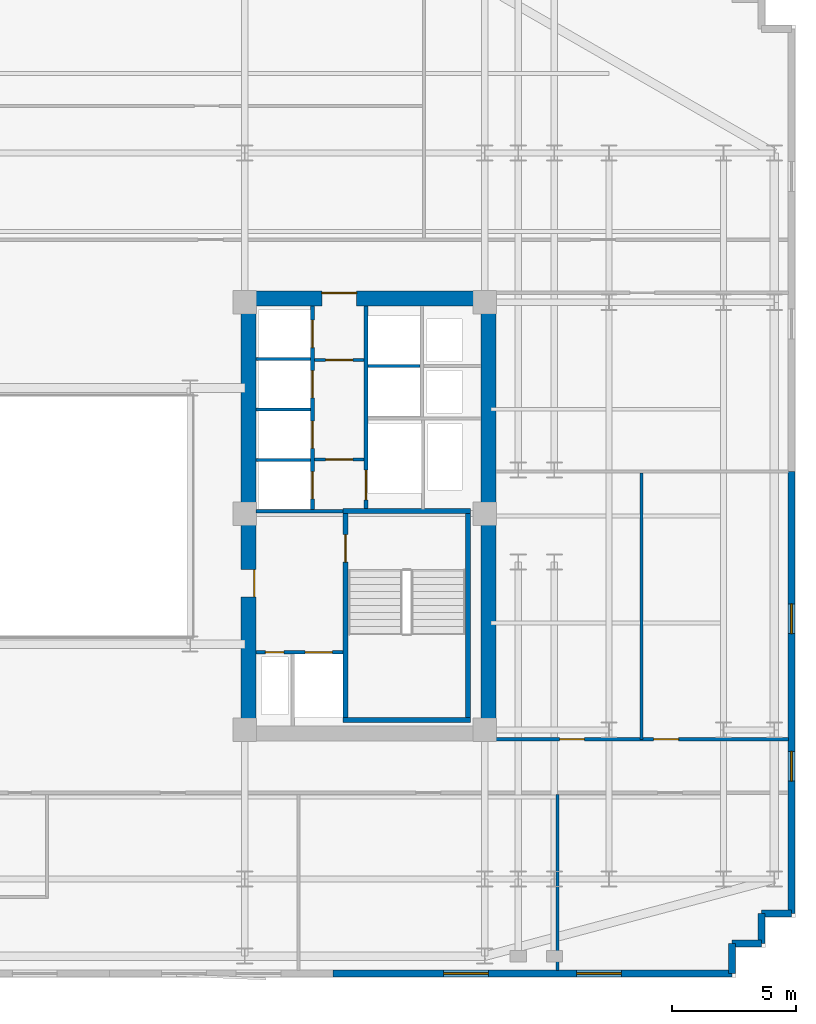
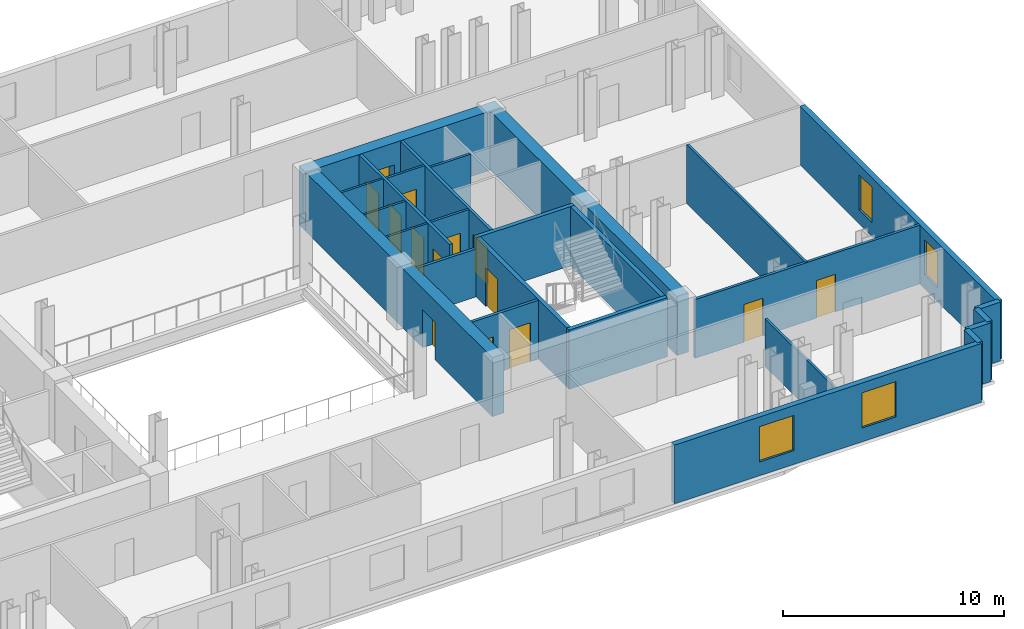
# One storey, part 6 of 10: 26 walls, 14 doors, 4 windows, 18 openings.
"""IFC4 building model written with IfcOpenShell, lengths in metres."""

from ifc_helpers import new_model, si_unit, direction, frame, frame_2d, origin, place, context, subcontext, project, spatial, rectangle, extrude, material, layer, layer_set, type_object, element, fill, save


model = new_model("IFC4")

# Units and contexts
model_context = context("Model", 3, precision=1e-05, world=origin(), true_north=direction((0.0, 1.0)))
body_context = subcontext(model_context, "Body", "Model", "MODEL_VIEW")
ifc_project = project(units=[si_unit("LENGTHUNIT", "METRE"), si_unit("AREAUNIT", "SQUARE_METRE"), si_unit("VOLUMEUNIT", "CUBIC_METRE"), si_unit("PLANEANGLEUNIT", "RADIAN"), si_unit("MASSUNIT", "GRAM", prefix="KILO")], contexts=[model_context])

# Site, building, storey
site_placement = place(None, origin())
site = spatial("IfcSite", under=ifc_project, at=site_placement, CompositionType="ELEMENT")
building_placement = place(site_placement, origin())
building = spatial("IfcBuilding", under=site, at=building_placement, Name="Velakula Bourse", CompositionType="ELEMENT")
storey_placement = place(building_placement, frame((0.0, 0.0, 145.0)))
storey = spatial("IfcBuildingStorey", under=building, at=storey_placement, Name="L39", CompositionType="ELEMENT", Elevation=145.0)

# Wall, opening, door
ifc_material_1 = material(Name="Concrete M50 (fck 50 MPa)", Category="concrete")
ifc_layer_1 = layer(ifc_material_1, 0.2099609375, Name="Concrete M50 (fck 50 MPa)", Category="concrete")
ifc_layer_set_1 = layer_set([ifc_layer_1], Name="Concrete M50 (fck 50 MPa)")
wall_type_1 = type_object("IfcWallType", Name="WL-CORE-210", PredefinedType="SHEAR", material=ifc_layer_set_1)
wall_1_placement = place(storey_placement, frame((12.9951171875, -8.10009765625, 0.0), z_axis=(0.0, 0.0, 1.0), x_axis=(0.0, 1.0, 0.0)))
wall_1 = element("IfcWall", 1, at=wall_1_placement, inside=storey, type_object=wall_type_1, Name="L39 Core E Stairwell Shear Wall IN", PredefinedType="SHEAR", context=body_context, shape_type="SweptSolid", body=[
    extrude(rectangle(XDim=8.2001953125, YDim=0.2099609375, at=frame_2d((4.10009765625, 0.0))), origin(), (0.0, 0.0, 1.0), 3.27001953125),
])
opening_1_placement = place(wall_1_placement, frame((6.25, 0.0, 0.0)))
opening_1 = element("IfcOpeningElement", 2, at=opening_1_placement, cuts=wall_1, Name="Opening D-STE1", PredefinedType="OPENING", context=body_context, shape_type="SweptSolid", body=[
    extrude(rectangle(XDim=1.10009765625, YDim=2.14990234375, at=frame_2d((0.550048828125, 1.074951171875))), frame((0.0, 0.114990234375, 0.0), z_axis=(0.0, -1.0, 0.0), x_axis=(1.0, 0.0, 0.0)), (0.0, 0.0, 1.0), 0.22998046875),
])
ifc_material_2 = material(Name="Galvanised painted hollow steel fire door", Category="steel")
door_type_1 = type_object("IfcDoorType", Name="DR-FD120-1100x2150", OperationType="NOTDEFINED", PredefinedType="DOOR", material=ifc_material_2)
door_1_placement = place(opening_1_placement, origin())
door_1 = element("IfcDoor", 3, at=door_1_placement, inside=storey, type_object=door_type_1, Name="L39 Stair ST-E1 Fire Door", OperationType="SINGLE_SWING_RIGHT", OverallHeight=2.14990234375, OverallWidth=1.10009765625, PredefinedType="DOOR", context=body_context, shape_type="SweptSolid", body=[
    extrude(rectangle(XDim=1.10009765625, YDim=2.14990234375, at=frame_2d((0.550048828125, 1.074951171875))), frame((0.0, 0.02490234375, 0.0), z_axis=(0.0, -1.0, 0.0), x_axis=(1.0, 0.0, 0.0)), (0.0, 0.0, 1.0), 0.050048828125),
])
fill(opening_1, door_1)

# Walls
wall_2_placement = place(storey_placement, frame((17.925048828125, -8.10009765625, 0.0), z_axis=(0.0, 0.0, 1.0), x_axis=(0.0, 1.0, 0.0)))
element("IfcWall", 4, at=wall_2_placement, inside=storey, type_object=wall_type_1, Name="L39 Core E Stairwell Shear Wall OUT", PredefinedType="SHEAR", context=body_context, shape_type="SweptSolid", body=[
    extrude(rectangle(XDim=8.2001953125, YDim=0.2099609375, at=frame_2d((4.10009765625, 0.0))), origin(), (0.0, 0.0, 1.0), 3.27001953125),
])
for number, where, z_axis, x_axis, name in (
    (5, (12.889892578125, -8.205078125, 0.0), (0.0, 0.0, 1.0), (1.0, 0.0, 0.0), "L39 Core E Stairwell Shear Wall S"),
    (6, (18.030029296875, 0.205078125, 0.0), (0.0, 0.0, 1.0), (-1.0, 0.0, 0.0), "L39 Core E Stairwell Shear Wall N"),
):
    element("IfcWall", number, at=place(storey_placement, frame(where, z_axis=z_axis, x_axis=x_axis)), inside=storey, type_object=wall_type_1, Name=name, PredefinedType="SHEAR", context=body_context, shape_type="SweptSolid", body=[
        extrude(rectangle(XDim=5.14013671875, YDim=0.2099609375, at=frame_2d((2.570068359375, 0.0))), origin(), (0.0, 0.0, 1.0), 3.27001953125),
    ])

# Wall, opening, door
ifc_material_3 = material(Name="Concrete M70 (fck 70 MPa)", Category="concrete")
ifc_layer_2 = layer(ifc_material_3, 0.60009765625, Name="Concrete M70 (fck 70 MPa)", Category="concrete")
ifc_layer_set_2 = layer_set([ifc_layer_2], Name="Concrete M70 (fck 70 MPa)")
wall_type_2 = type_object("IfcWallType", Name="WL-CORE-600", PredefinedType="SHEAR", material=ifc_layer_set_2)
wall_3_placement = place(storey_placement, frame((8.800048828125, 8.75, 0.0), z_axis=(0.0, 0.0, 1.0), x_axis=(1.0, 0.0, 0.0)))
wall_3 = element("IfcWall", 7, at=wall_3_placement, inside=storey, type_object=wall_type_2, Name="L39 Core E Shear Wall N", PredefinedType="SHEAR", context=body_context, shape_type="SweptSolid", body=[
    extrude(rectangle(XDim=10.25, YDim=0.60009765625, at=frame_2d((5.125, 0.0))), origin(), (0.0, 0.0, 1.0), 3.27001953125),
])
opening_2_placement = place(wall_3_placement, frame((3.25, 0.0, 0.0)))
opening_2 = element("IfcOpeningElement", 8, at=opening_2_placement, cuts=wall_3, Name="Opening D-LLE", PredefinedType="OPENING", context=body_context, shape_type="SweptSolid", body=[
    extrude(rectangle(XDim=1.39990234375, YDim=2.050048828125, at=frame_2d((0.699951171875, 1.02490234375))), frame((0.0, 0.31005859375, 0.0), z_axis=(0.0, -1.0, 0.0), x_axis=(1.0, 0.0, 0.0)), (0.0, 0.0, 1.0), 0.6201171875),
])
ifc_material_4 = material(Name="Fire-rated hardwood flush architectural door", Category="wood")
door_type_2 = type_object("IfcDoorType", Name="DR-DBL-FD60-1400", OperationType="DOUBLE_DOOR_SINGLE_SWING", PredefinedType="DOOR", material=ifc_material_4)
door_2_placement = place(opening_2_placement, origin())
door_2 = element("IfcDoor", 9, at=door_2_placement, inside=storey, type_object=door_type_2, Name="L39 Core E Lift Lobby Corridor Double Door", OperationType="DOUBLE_DOOR_SINGLE_SWING", OverallHeight=2.050048828125, OverallWidth=1.39990234375, PredefinedType="DOOR", context=body_context, shape_type="SweptSolid", body=[
    extrude(rectangle(XDim=1.39990234375, YDim=2.050048828125, at=frame_2d((0.699951171875, 1.02490234375))), frame((0.0, 0.2451171875, 0.0), z_axis=(0.0, -1.0, 0.0), x_axis=(1.0, 0.0, 0.0)), (0.0, 0.0, 1.0), 0.050048828125),
])
fill(opening_2, door_2)

wall_4_placement = place(storey_placement, frame((9.10009765625, -8.449951171875, 0.0), z_axis=(0.0, 0.0, 1.0), x_axis=(0.0, 1.0, 0.0)))
wall_4 = element("IfcWall", 10, at=wall_4_placement, inside=storey, type_object=wall_type_2, Name="L39 Core E Shear Wall W", PredefinedType="SHEAR", context=body_context, shape_type="SweptSolid", body=[
    extrude(rectangle(XDim=16.89990234375, YDim=0.60009765625, at=frame_2d((8.449951171875, 0.0))), origin(), (0.0, 0.0, 1.0), 3.27001953125),
])
opening_3_placement = place(wall_4_placement, frame((5.199951171875, 0.0, 0.0)))
opening_3 = element("IfcOpeningElement", 11, at=opening_3_placement, cuts=wall_4, Name="Opening D-FLE", PredefinedType="OPENING", context=body_context, shape_type="SweptSolid", body=[
    extrude(rectangle(XDim=1.10009765625, YDim=2.080078125, at=frame_2d((0.550048828125, 1.0400390625))), frame((0.0, 0.31005859375, 0.0), z_axis=(0.0, -1.0, 0.0), x_axis=(1.0, 0.0, 0.0)), (0.0, 0.0, 1.0), 0.6201171875),
])
door_type_3 = type_object("IfcDoorType", Name="DR-FD120-1100", OperationType="NOTDEFINED", PredefinedType="DOOR", material=ifc_material_2)
door_3_placement = place(opening_3_placement, origin())
door_3 = element("IfcDoor", 12, at=door_3_placement, inside=storey, type_object=door_type_3, Name="L39 Firefighting Lobby E Corridor Fire Door", OperationType="SINGLE_SWING_RIGHT", OverallHeight=2.080078125, OverallWidth=1.10009765625, PredefinedType="DOOR", context=body_context, shape_type="SweptSolid", body=[
    extrude(rectangle(XDim=1.10009765625, YDim=2.080078125, at=frame_2d((0.550048828125, 1.0400390625))), frame((0.0, -0.205078125, 0.0), z_axis=(0.0, -1.0, 0.0), x_axis=(1.0, 0.0, 0.0)), (0.0, 0.0, 1.0), 0.050048828125),
])
fill(opening_3, door_3)

# Wall
wall_5_placement = place(storey_placement, frame((18.75, -8.449951171875, 0.0), z_axis=(0.0, 0.0, 1.0), x_axis=(0.0, 1.0, 0.0)))
element("IfcWall", 13, at=wall_5_placement, inside=storey, type_object=wall_type_2, Name="L39 Core E Shear Wall E", PredefinedType="SHEAR", context=body_context, shape_type="SweptSolid", body=[
    extrude(rectangle(XDim=16.89990234375, YDim=0.60009765625, at=frame_2d((8.449951171875, 0.0))), origin(), (0.0, 0.0, 1.0), 3.27001953125),
])

# Wall, openings, windows
ifc_material_5 = material(Name="Red kilned clay facing brick masonry", Category="masonry")
ifc_layer_3 = layer(ifc_material_5, 0.280029296875, Name="Red kilned clay facing brick masonry", Category="masonry")
ifc_layer_set_3 = layer_set([ifc_layer_3], Name="Red kilned clay facing brick masonry")
wall_type_3 = type_object("IfcWallType", Name="WL-EXT-BRK-280", PredefinedType="STANDARD", material=ifc_layer_set_3)
wall_6_placement = place(storey_placement, frame((28.5400390625, -18.389892578125, 0.0), z_axis=(0.0, 0.0, 1.0), x_axis=(-1.0, 0.0, 0.0)))
wall_6 = element("IfcWall", 14, at=wall_6_placement, inside=storey, type_object=wall_type_3, Name="L39 S Brick Spandrel Wall B5", PredefinedType="STANDARD", context=body_context, shape_type="SweptSolid", body=[
    extrude(rectangle(XDim=16.0400390625, YDim=0.280029296875, at=frame_2d((8.02001953125, 0.0))), origin(), (0.0, 0.0, 1.0), 3.25),
])
opening_4_placement = place(wall_6_placement, frame((4.44677734375, 0.0, 0.760009765625)))
opening_4 = element("IfcOpeningElement", 15, at=opening_4_placement, cuts=wall_6, Name="Opening W-01", PredefinedType="OPENING", context=body_context, shape_type="SweptSolid", body=[
    extrude(rectangle(XDim=1.800048828125, YDim=1.949951171875, at=frame_2d((0.89990234375, 0.97509765625))), frame((0.0, 0.14990234375, 0.0), z_axis=(0.0, -1.0, 0.0), x_axis=(1.0, 0.0, 0.0)), (0.0, 0.0, 1.0), 0.300048828125),
])
opening_5_placement = place(wall_6_placement, frame((9.793212890625, 0.0, 0.760009765625)))
opening_5 = element("IfcOpeningElement", 16, at=opening_5_placement, cuts=wall_6, Name="Opening W-01", PredefinedType="OPENING", context=body_context, shape_type="SweptSolid", body=[
    extrude(rectangle(XDim=1.800048828125, YDim=1.949951171875, at=frame_2d((0.89990234375, 0.97509765625))), frame((0.0, 0.14990234375, 0.0), z_axis=(0.0, -1.0, 0.0), x_axis=(1.0, 0.0, 0.0)), (0.0, 0.0, 1.0), 0.300048828125),
])
ifc_material_6 = material(Name="Double-glazed solar-control Low-E glass", Category="glass")
window_type_1 = type_object("IfcWindowType", Name="WIN-TWR-1800x2100", PartitioningType="SINGLE_PANEL", PredefinedType="WINDOW", material=ifc_material_6)
window_1_placement = place(opening_4_placement, origin())
window_1 = element("IfcWindow", 17, at=window_1_placement, inside=storey, type_object=window_type_1, Name="L39 Deep-Set Recessed Window 1", OverallHeight=1.949951171875, OverallWidth=1.800048828125, PartitioningType="SINGLE_PANEL", PredefinedType="WINDOW", context=body_context, shape_type="SweptSolid", body=[
    extrude(rectangle(XDim=1.800048828125, YDim=1.949951171875, at=frame_2d((0.89990234375, 0.97509765625))), frame((0.0, 0.030029296875, 0.0), z_axis=(0.0, -1.0, 0.0), x_axis=(1.0, 0.0, 0.0)), (0.0, 0.0, 1.0), 0.06005859375),
])
fill(opening_4, window_1)
window_2_placement = place(opening_5_placement, origin())
window_2 = element("IfcWindow", 18, at=window_2_placement, inside=storey, type_object=window_type_1, Name="L39 Deep-Set Recessed Window 2", OverallHeight=1.949951171875, OverallWidth=1.800048828125, PartitioningType="SINGLE_PANEL", PredefinedType="WINDOW", context=body_context, shape_type="SweptSolid", body=[
    extrude(rectangle(XDim=1.800048828125, YDim=1.949951171875, at=frame_2d((0.89990234375, 0.97509765625))), frame((0.0, 0.030029296875, 0.0), z_axis=(0.0, -1.0, 0.0), x_axis=(1.0, 0.0, 0.0)), (0.0, 0.0, 1.0), 0.06005859375),
])
fill(opening_5, window_2)

wall_7_placement = place(storey_placement, frame((30.93994140625, 1.800048828125, 0.0), z_axis=(0.0, 0.0, 1.0), x_axis=(0.0, -1.0, 0.0)))
wall_7 = element("IfcWall", 19, at=wall_7_placement, inside=storey, type_object=wall_type_3, Name="L39 E Brick End Wall W1", PredefinedType="STANDARD", context=body_context, shape_type="SweptSolid", body=[
    extrude(rectangle(XDim=17.7900390625, YDim=0.280029296875, at=frame_2d((8.89501953125, 0.0))), origin(), (0.0, 0.0, 1.0), 3.25),
])
opening_6_placement = place(wall_7_placement, frame((5.330078125, 0.0, 0.760009765625)))
opening_6 = element("IfcOpeningElement", 20, at=opening_6_placement, cuts=wall_7, Name="Opening W-04", PredefinedType="OPENING", context=body_context, shape_type="SweptSolid", body=[
    extrude(rectangle(XDim=1.199951171875, YDim=1.949951171875, at=frame_2d((0.60009765625, 0.97509765625))), frame((0.0, 0.14990234375, 0.0), z_axis=(0.0, -1.0, 0.0), x_axis=(1.0, 0.0, 0.0)), (0.0, 0.0, 1.0), 0.300048828125),
])
opening_7_placement = place(wall_7_placement, frame((11.260009765625, 0.0, 0.760009765625)))
opening_7 = element("IfcOpeningElement", 21, at=opening_7_placement, cuts=wall_7, Name="Opening W-04", PredefinedType="OPENING", context=body_context, shape_type="SweptSolid", body=[
    extrude(rectangle(XDim=1.199951171875, YDim=1.949951171875, at=frame_2d((0.60009765625, 0.97509765625))), frame((0.0, 0.14990234375, 0.0), z_axis=(0.0, -1.0, 0.0), x_axis=(1.0, 0.0, 0.0)), (0.0, 0.0, 1.0), 0.300048828125),
])
window_type_2 = type_object("IfcWindowType", Name="WIN-TWR-1200x2100", PartitioningType="SINGLE_PANEL", PredefinedType="WINDOW", material=ifc_material_6)
window_3_placement = place(opening_6_placement, origin())
window_3 = element("IfcWindow", 22, at=window_3_placement, inside=storey, type_object=window_type_2, Name="L39 Deep-Set Recessed Window 1", OverallHeight=1.949951171875, OverallWidth=1.199951171875, PartitioningType="SINGLE_PANEL", PredefinedType="WINDOW", context=body_context, shape_type="SweptSolid", body=[
    extrude(rectangle(XDim=1.199951171875, YDim=1.949951171875, at=frame_2d((0.60009765625, 0.97509765625))), frame((0.0, 0.030029296875, 0.0), z_axis=(0.0, -1.0, 0.0), x_axis=(1.0, 0.0, 0.0)), (0.0, 0.0, 1.0), 0.06005859375),
])
fill(opening_6, window_3)
window_4_placement = place(opening_7_placement, origin())
window_4 = element("IfcWindow", 23, at=window_4_placement, inside=storey, type_object=window_type_2, Name="L39 Deep-Set Recessed Window 2", OverallHeight=1.949951171875, OverallWidth=1.199951171875, PartitioningType="SINGLE_PANEL", PredefinedType="WINDOW", context=body_context, shape_type="SweptSolid", body=[
    extrude(rectangle(XDim=1.199951171875, YDim=1.949951171875, at=frame_2d((0.60009765625, 0.97509765625))), frame((0.0, 0.030029296875, 0.0), z_axis=(0.0, -1.0, 0.0), x_axis=(1.0, 0.0, 0.0)), (0.0, 0.0, 1.0), 0.06005859375),
])
fill(opening_7, window_4)

# Walls
for number, where, z_axis, x_axis, name in (
    (24, (28.5400390625, -18.389892578125, 0.0), (0.0, 0.0, 1.0), (0.0, 1.0, 0.0), "L39 Serrated Corner Brick Wall SE-1"),
    (25, (28.5400390625, -17.18994140625, 0.0), (0.0, 0.0, 1.0), (1.0, 0.0, 0.0), "L39 Serrated Corner Brick Wall SE-2"),
    (26, (29.739990234375, -17.18994140625, 0.0), (0.0, 0.0, 1.0), (0.0, 1.0, 0.0), "L39 Serrated Corner Brick Wall SE-3"),
    (27, (29.739990234375, -15.989990234375, 0.0), (0.0, 0.0, 1.0), (1.0, 0.0, 0.0), "L39 Serrated Corner Brick Wall SE-4"),
):
    element("IfcWall", number, at=place(storey_placement, frame(where, z_axis=z_axis, x_axis=x_axis)), inside=storey, type_object=wall_type_3, Name=name, PredefinedType="STANDARD", context=body_context, shape_type="SweptSolid", body=[
        extrude(rectangle(XDim=1.199951171875, YDim=0.280029296875, at=frame_2d((0.60009765625, 0.0))), origin(), (0.0, 0.0, 1.0), 3.25),
    ])

# Wall, opening, door
ifc_material_7 = material(Name="Fire-rated double-layer gypsum drywall partition", Category="gypsum")
ifc_layer_4 = layer(ifc_material_7, 0.1201171875, Name="Fire-rated double-layer gypsum drywall partition", Category="gypsum")
ifc_layer_set_4 = layer_set([ifc_layer_4], Name="Fire-rated double-layer gypsum drywall partition")
wall_type_4 = type_object("IfcWallType", Name="WL-PART-120", PredefinedType="STANDARD", material=ifc_layer_set_4)
wall_8_placement = place(storey_placement, frame((11.75, 2.280029296875, 0.0), z_axis=(0.0, 0.0, 1.0), x_axis=(1.0, 0.0, 0.0)))
wall_8 = element("IfcWall", 28, at=wall_8_placement, inside=storey, type_object=wall_type_4, Name="L39 Interior Partition WL-CRE-L39-LL-K3A", PredefinedType="STANDARD", context=body_context, shape_type="SweptSolid", body=[
    extrude(rectangle(XDim=2.0, YDim=0.1201171875, at=frame_2d((1.0, 0.0))), origin(), (0.0, 0.0, 1.0), 3.25),
])
opening_8_placement = place(wall_8_placement, frame((0.449951171875, 0.0, 0.0)))
opening_8 = element("IfcOpeningElement", 29, at=opening_8_placement, cuts=wall_8, Name="Opening D-LK3", PredefinedType="OPENING", context=body_context, shape_type="SweptSolid", body=[
    extrude(rectangle(XDim=1.10009765625, YDim=2.10009765625, at=frame_2d((0.550048828125, 1.050048828125))), frame((0.0, 0.070068359375, 0.0), z_axis=(0.0, -1.0, 0.0), x_axis=(1.0, 0.0, 0.0)), (0.0, 0.0, 1.0), 0.14013671875),
])
door_type_4 = type_object("IfcDoorType", Name="DR-FD60-1100x2100", OperationType="NOTDEFINED", PredefinedType="DOOR", material=ifc_material_4)
door_4_placement = place(opening_8_placement, origin())
door_4 = element("IfcDoor", 30, at=door_4_placement, inside=storey, type_object=door_type_4, Name="L39 Core E Lift Lobby Vestibule Door A", OperationType="SINGLE_SWING_LEFT", OverallHeight=2.10009765625, OverallWidth=1.10009765625, PredefinedType="DOOR", context=body_context, shape_type="SweptSolid", body=[
    extrude(rectangle(XDim=1.10009765625, YDim=2.10009765625, at=frame_2d((0.550048828125, 1.050048828125))), frame((0.0, 0.02490234375, 0.0), z_axis=(0.0, -1.0, 0.0), x_axis=(1.0, 0.0, 0.0)), (0.0, 0.0, 1.0), 0.050048828125),
])
fill(opening_8, door_4)

wall_9_placement = place(storey_placement, frame((11.75, 6.280029296875, 0.0), z_axis=(0.0, 0.0, 1.0), x_axis=(1.0, 0.0, 0.0)))
wall_9 = element("IfcWall", 31, at=wall_9_placement, inside=storey, type_object=wall_type_4, Name="L39 Interior Partition WL-CRE-L39-LL-K3B", PredefinedType="STANDARD", context=body_context, shape_type="SweptSolid", body=[
    extrude(rectangle(XDim=2.0, YDim=0.1201171875, at=frame_2d((1.0, 0.0))), origin(), (0.0, 0.0, 1.0), 3.25),
])
opening_9_placement = place(wall_9_placement, frame((0.449951171875, 0.0, 0.0)))
opening_9 = element("IfcOpeningElement", 32, at=opening_9_placement, cuts=wall_9, Name="Opening D-LK3", PredefinedType="OPENING", context=body_context, shape_type="SweptSolid", body=[
    extrude(rectangle(XDim=1.10009765625, YDim=2.10009765625, at=frame_2d((0.550048828125, 1.050048828125))), frame((0.0, 0.070068359375, 0.0), z_axis=(0.0, -1.0, 0.0), x_axis=(1.0, 0.0, 0.0)), (0.0, 0.0, 1.0), 0.14013671875),
])
door_5_placement = place(opening_9_placement, origin())
door_5 = element("IfcDoor", 33, at=door_5_placement, inside=storey, type_object=door_type_4, Name="L39 Core E Lift Lobby Vestibule Door B", OperationType="SINGLE_SWING_LEFT", OverallHeight=2.10009765625, OverallWidth=1.10009765625, PredefinedType="DOOR", context=body_context, shape_type="SweptSolid", body=[
    extrude(rectangle(XDim=1.10009765625, YDim=2.10009765625, at=frame_2d((0.550048828125, 1.050048828125))), frame((0.0, 0.02490234375, 0.0), z_axis=(0.0, -1.0, 0.0), x_axis=(1.0, 0.0, 0.0)), (0.0, 0.0, 1.0), 0.050048828125),
])
fill(opening_9, door_5)

# Walls
for number, where, z_axis, x_axis, name in (
    (34, (9.39990234375, 2.2548828125, 0.0), (0.0, 0.0, 1.0), (1.0, 0.0, 0.0), "L39 Interior Partition WL-CRE-L39-BDIV-0"),
    (35, (9.39990234375, 4.284912109375, 0.0), (0.0, 0.0, 1.0), (1.0, 0.0, 0.0), "L39 Interior Partition WL-CRE-L39-BDIV-1"),
    (36, (9.39990234375, 6.31494140625, 0.0), (0.0, 0.0, 1.0), (1.0, 0.0, 0.0), "L39 Interior Partition WL-CRE-L39-BDIV-2"),
):
    element("IfcWall", number, at=place(storey_placement, frame(where, z_axis=z_axis, x_axis=x_axis)), inside=storey, type_object=wall_type_4, Name=name, PredefinedType="STANDARD", context=body_context, shape_type="SweptSolid", body=[
        extrude(rectangle(XDim=2.2001953125, YDim=0.110107421875, at=frame_2d((1.10009765625, 0.0))), origin(), (0.0, 0.0, 1.0), 3.25),
    ])
wall_10_placement = place(storey_placement, frame((13.89990234375, 6.030029296875, 0.0), z_axis=(0.0, 0.0, 1.0), x_axis=(1.0, 0.0, 0.0)))
element("IfcWall", 37, at=wall_10_placement, inside=storey, type_object=wall_type_4, Name="L39 Interior Partition WL-CRE-L39-HI-DIV", PredefinedType="STANDARD", context=body_context, shape_type="SweptSolid", body=[
    extrude(rectangle(XDim=2.10009765625, YDim=0.1201171875, at=frame_2d((1.050048828125, 0.0))), origin(), (0.0, 0.0, 1.0), 3.25),
])
wall_11_placement = place(storey_placement, frame((21.533935546875, -18.27001953125, 0.0), z_axis=(0.0, 0.0, 1.0), x_axis=(0.0, 1.0, 0.0)))
element("IfcWall", 38, at=wall_11_placement, inside=storey, type_object=wall_type_4, Name="L39 Interior Partition WL-INT-L39-SR-D8", PredefinedType="STANDARD", context=body_context, shape_type="SweptSolid", body=[
    extrude(rectangle(XDim=7.080078125, YDim=0.1201171875, at=frame_2d((3.5400390625, 0.0))), origin(), (0.0, 0.0, 1.0), 2.64501953125),
])
wall_12_placement = place(storey_placement, frame((24.905029296875, -8.97998046875, 0.0), z_axis=(0.0, 0.0, 1.0), x_axis=(0.0, 1.0, 0.0)))
element("IfcWall", 39, at=wall_12_placement, inside=storey, type_object=wall_type_4, Name="L39 Interior Partition WL-INT-L39-E-VS", PredefinedType="STANDARD", context=body_context, shape_type="SweptSolid", body=[
    extrude(rectangle(XDim=10.719970703125, YDim=0.1201171875, at=frame_2d((5.35986328125, 0.0))), origin(), (0.0, 0.0, 1.0), 3.25),
])

# Wall, openings, doors
ifc_layer_5 = layer(ifc_material_7, 0.139892578125, Name="Fire-rated double-layer gypsum drywall partition", Category="gypsum")
ifc_layer_set_5 = layer_set([ifc_layer_5], Name="Fire-rated double-layer gypsum drywall partition")
wall_type_5 = type_object("IfcWallType", Name="WL-PART-140", PredefinedType="STANDARD", material=ifc_layer_set_5)
wall_13_placement = place(storey_placement, frame((19.050048828125, -8.97998046875, 0.0), z_axis=(0.0, 0.0, 1.0), x_axis=(1.0, 0.0, 0.0)))
wall_13 = element("IfcWall", 40, at=wall_13_placement, inside=storey, type_object=wall_type_5, Name="L39 Interior Partition WL-INT-L39-E-SC", PredefinedType="STANDARD", context=body_context, shape_type="SweptSolid", body=[
    extrude(rectangle(XDim=11.77001953125, YDim=0.139892578125, at=frame_2d((5.885009765625, 0.0))), origin(), (0.0, 0.0, 1.0), 3.25),
])
opening_10_placement = place(wall_13_placement, frame((2.5576171875, 0.0, 0.0)))
opening_10 = element("IfcOpeningElement", 41, at=opening_10_placement, cuts=wall_13, Name="Opening D-OF1", PredefinedType="OPENING", context=body_context, shape_type="SweptSolid", body=[
    extrude(rectangle(XDim=1.0, YDim=2.080078125, at=frame_2d((0.5, 1.0400390625))), frame((0.0, 0.079833984375, 0.0), z_axis=(0.0, -1.0, 0.0), x_axis=(1.0, 0.0, 0.0)), (0.0, 0.0, 1.0), 0.159912109375),
])
opening_11_placement = place(wall_13_placement, frame((6.346923828125, 0.0, 0.0)))
opening_11 = element("IfcOpeningElement", 42, at=opening_11_placement, cuts=wall_13, Name="Opening D-OF1", PredefinedType="OPENING", context=body_context, shape_type="SweptSolid", body=[
    extrude(rectangle(XDim=1.0, YDim=2.080078125, at=frame_2d((0.5, 1.0400390625))), frame((0.0, 0.079833984375, 0.0), z_axis=(0.0, -1.0, 0.0), x_axis=(1.0, 0.0, 0.0)), (0.0, 0.0, 1.0), 0.159912109375),
])
door_type_5 = type_object("IfcDoorType", Name="DR-OFF-1000", OperationType="NOTDEFINED", PredefinedType="DOOR", material=ifc_material_4)
door_6_placement = place(opening_10_placement, origin())
door_6 = element("IfcDoor", 43, at=door_6_placement, inside=storey, type_object=door_type_5, Name="L39 ETF Market-Making Workspace Door", OperationType="SINGLE_SWING_RIGHT", OverallHeight=2.080078125, OverallWidth=1.0, PredefinedType="DOOR", context=body_context, shape_type="SweptSolid", body=[
    extrude(rectangle(XDim=1.0, YDim=2.080078125, at=frame_2d((0.5, 1.0400390625))), frame((0.0, 0.02490234375, 0.0), z_axis=(0.0, -1.0, 0.0), x_axis=(1.0, 0.0, 0.0)), (0.0, 0.0, 1.0), 0.050048828125),
])
fill(opening_10, door_6)
door_7_placement = place(opening_11_placement, origin())
door_7 = element("IfcDoor", 44, at=door_7_placement, inside=storey, type_object=door_type_5, Name="L39 Asset Allocation Office Door", OperationType="SINGLE_SWING_LEFT", OverallHeight=2.080078125, OverallWidth=1.0, PredefinedType="DOOR", context=body_context, shape_type="SweptSolid", body=[
    extrude(rectangle(XDim=1.0, YDim=2.080078125, at=frame_2d((0.5, 1.0400390625))), frame((0.0, 0.02490234375, 0.0), z_axis=(0.0, -1.0, 0.0), x_axis=(1.0, 0.0, 0.0)), (0.0, 0.0, 1.0), 0.050048828125),
])
fill(opening_11, door_7)

ifc_material_8 = material(Name="Autoclaved aerated concrete blockwork masonry", Category="masonry")
ifc_layer_6 = layer(ifc_material_8, 0.14990234375, Name="Autoclaved aerated concrete blockwork masonry", Category="masonry")
ifc_layer_set_6 = layer_set([ifc_layer_6], Name="Autoclaved aerated concrete blockwork masonry")
wall_type_6 = type_object("IfcWallType", Name="WL-SHAFT-150", PredefinedType="STANDARD", material=ifc_layer_set_6)
wall_14_placement = place(storey_placement, frame((9.39990234375, -5.47509765625, 0.0), z_axis=(0.0, 0.0, 1.0), x_axis=(1.0, 0.0, 0.0)))
wall_14 = element("IfcWall", 45, at=wall_14_placement, inside=storey, type_object=wall_type_6, Name="L39 Interior Partition WL-CRE-L39-FFL-N", PredefinedType="STANDARD", context=body_context, shape_type="SweptSolid", body=[
    extrude(rectangle(XDim=3.4951171875, YDim=0.14990234375, at=frame_2d((1.74755859375, 0.0))), origin(), (0.0, 0.0, 1.0), 3.25),
])
opening_12_placement = place(wall_14_placement, frame((1.97509765625, 0.0, 0.0)))
opening_12 = element("IfcOpeningElement", 46, at=opening_12_placement, cuts=wall_14, Name="Opening LD-FFL-2", PredefinedType="OPENING", context=body_context, shape_type="SweptSolid", body=[
    extrude(rectangle(XDim=1.10009765625, YDim=2.14990234375, at=frame_2d((0.550048828125, 1.074951171875))), frame((0.0, 0.0849609375, 0.0), z_axis=(0.0, -1.0, 0.0), x_axis=(1.0, 0.0, 0.0)), (0.0, 0.0, 1.0), 0.169921875),
])
opening_13_placement = place(wall_14_placement, frame((0.375, 0.0, 0.0)))
opening_13 = element("IfcOpeningElement", 47, at=opening_13_placement, cuts=wall_14, Name="Opening D-RS1", PredefinedType="OPENING", context=body_context, shape_type="SweptSolid", body=[
    extrude(rectangle(XDim=0.75, YDim=2.050048828125, at=frame_2d((0.375, 1.02490234375))), frame((0.0, 0.0849609375, 0.0), z_axis=(0.0, -1.0, 0.0), x_axis=(1.0, 0.0, 0.0)), (0.0, 0.0, 1.0), 0.169921875),
])
door_type_6 = type_object("IfcDoorType", Name="DR-RISER-800", OperationType="NOTDEFINED", PredefinedType="DOOR", material=ifc_material_2)
door_8_placement = place(opening_13_placement, origin())
door_8 = element("IfcDoor", 48, at=door_8_placement, inside=storey, type_object=door_type_6, Name="L39 Fire Riser Access Door", OperationType="SINGLE_SWING_LEFT", OverallHeight=2.050048828125, OverallWidth=0.75, PredefinedType="DOOR", context=body_context, shape_type="SweptSolid", body=[
    extrude(rectangle(XDim=0.75, YDim=2.050048828125, at=frame_2d((0.375, 1.02490234375))), frame((0.0, 0.02490234375, 0.0), z_axis=(0.0, -1.0, 0.0), x_axis=(1.0, 0.0, 0.0)), (0.0, 0.0, 1.0), 0.050048828125),
])
fill(opening_13, door_8)
ifc_material_9 = material(Name="Brushed grade 316 stainless steel", Category="steel")
door_type_7 = type_object("IfcDoorType", Name="DR-SLIDE-FFL-1100", OperationType="DOUBLE_DOOR_SLIDING", PredefinedType="DOOR", material=ifc_material_9)
door_9_placement = place(opening_12_placement, origin())
door_9 = element("IfcDoor", 49, at=door_9_placement, inside=storey, type_object=door_type_7, Name="L39 Firefighting Lift FFL-2 Sliding Landing Door", OperationType="DOUBLE_DOOR_SLIDING", OverallHeight=2.14990234375, OverallWidth=1.10009765625, PredefinedType="DOOR", context=body_context, shape_type="SweptSolid", body=[
    extrude(rectangle(XDim=1.10009765625, YDim=2.14990234375, at=frame_2d((0.550048828125, 1.074951171875))), frame((0.0, 0.02490234375, 0.0), z_axis=(0.0, -1.0, 0.0), x_axis=(1.0, 0.0, 0.0)), (0.0, 0.0, 1.0), 0.050048828125),
])
fill(opening_12, door_9)

# Wall
wall_15_placement = place(storey_placement, frame((9.39990234375, 0.18994140625, 0.0), z_axis=(0.0, 0.0, 1.0), x_axis=(1.0, 0.0, 0.0)))
element("IfcWall", 50, at=wall_15_placement, inside=storey, type_object=wall_type_6, Name="L39 Interior Partition WL-CRE-L39-FF-TOP", PredefinedType="STANDARD", context=body_context, shape_type="SweptSolid", body=[
    extrude(rectangle(XDim=3.489990234375, YDim=0.14990234375, at=frame_2d((1.7451171875, 0.0))), origin(), (0.0, 0.0, 1.0), 2.64501953125),
])

# Wall, openings, doors
wall_16_placement = place(storey_placement, frame((11.675048828125, 0.27001953125, 0.0), z_axis=(0.0, 0.0, 1.0), x_axis=(0.0, 1.0, 0.0)))
wall_16 = element("IfcWall", 51, at=wall_16_placement, inside=storey, type_object=wall_type_6, Name="L39 Interior Partition WL-CRE-L39-BANK-F", PredefinedType="STANDARD", context=body_context, shape_type="SweptSolid", body=[
    extrude(rectangle(XDim=8.179931640625, YDim=0.14990234375, at=frame_2d((4.08984375, 0.0))), origin(), (0.0, 0.0, 1.0), 3.25),
])
opening_14_placement = place(wall_16_placement, frame((0.419921875, 0.0, 0.0)))
opening_14 = element("IfcOpeningElement", 52, at=opening_14_placement, cuts=wall_16, Name="Opening LD-P5", PredefinedType="OPENING", context=body_context, shape_type="SweptSolid", body=[
    extrude(rectangle(XDim=1.10009765625, YDim=2.10009765625, at=frame_2d((0.550048828125, 1.050048828125))), frame((0.0, 0.0849609375, 0.0), z_axis=(0.0, -1.0, 0.0), x_axis=(1.0, 0.0, 0.0)), (0.0, 0.0, 1.0), 0.169921875),
])
opening_15_placement = place(wall_16_placement, frame((2.449951171875, 0.0, 0.0)))
opening_15 = element("IfcOpeningElement", 53, at=opening_15_placement, cuts=wall_16, Name="Opening LD-P6", PredefinedType="OPENING", context=body_context, shape_type="SweptSolid", body=[
    extrude(rectangle(XDim=1.10009765625, YDim=2.10009765625, at=frame_2d((0.550048828125, 1.050048828125))), frame((0.0, 0.0849609375, 0.0), z_axis=(0.0, -1.0, 0.0), x_axis=(1.0, 0.0, 0.0)), (0.0, 0.0, 1.0), 0.169921875),
])
opening_16_placement = place(wall_16_placement, frame((4.47998046875, 0.0, 0.0)))
opening_16 = element("IfcOpeningElement", 54, at=opening_16_placement, cuts=wall_16, Name="Opening LD-P7", PredefinedType="OPENING", context=body_context, shape_type="SweptSolid", body=[
    extrude(rectangle(XDim=1.10009765625, YDim=2.10009765625, at=frame_2d((0.550048828125, 1.050048828125))), frame((0.0, 0.0849609375, 0.0), z_axis=(0.0, -1.0, 0.0), x_axis=(1.0, 0.0, 0.0)), (0.0, 0.0, 1.0), 0.169921875),
])
opening_17_placement = place(wall_16_placement, frame((6.510009765625, 0.0, 0.0)))
opening_17 = element("IfcOpeningElement", 55, at=opening_17_placement, cuts=wall_16, Name="Opening LD-P8", PredefinedType="OPENING", context=body_context, shape_type="SweptSolid", body=[
    extrude(rectangle(XDim=1.10009765625, YDim=2.10009765625, at=frame_2d((0.550048828125, 1.050048828125))), frame((0.0, 0.0849609375, 0.0), z_axis=(0.0, -1.0, 0.0), x_axis=(1.0, 0.0, 0.0)), (0.0, 0.0, 1.0), 0.169921875),
])
door_type_8 = type_object("IfcDoorType", Name="DR-SLIDE-LD-1100", OperationType="DOUBLE_DOOR_SLIDING", PredefinedType="DOOR", material=ifc_material_9)
door_10_placement = place(opening_14_placement, origin())
door_10 = element("IfcDoor", 56, at=door_10_placement, inside=storey, type_object=door_type_8, Name="L39 Passenger Lift P5 Sliding Landing Door", OperationType="DOUBLE_DOOR_SLIDING", OverallHeight=2.10009765625, OverallWidth=1.10009765625, PredefinedType="DOOR", context=body_context, shape_type="SweptSolid", body=[
    extrude(rectangle(XDim=1.10009765625, YDim=2.10009765625, at=frame_2d((0.550048828125, 1.050048828125))), frame((0.0, 0.02490234375, 0.0), z_axis=(0.0, -1.0, 0.0), x_axis=(1.0, 0.0, 0.0)), (0.0, 0.0, 1.0), 0.050048828125),
])
fill(opening_14, door_10)
door_11_placement = place(opening_15_placement, origin())
door_11 = element("IfcDoor", 57, at=door_11_placement, inside=storey, type_object=door_type_8, Name="L39 Passenger Lift P6 Sliding Landing Door", OperationType="DOUBLE_DOOR_SLIDING", OverallHeight=2.10009765625, OverallWidth=1.10009765625, PredefinedType="DOOR", context=body_context, shape_type="SweptSolid", body=[
    extrude(rectangle(XDim=1.10009765625, YDim=2.10009765625, at=frame_2d((0.550048828125, 1.050048828125))), frame((0.0, 0.02490234375, 0.0), z_axis=(0.0, -1.0, 0.0), x_axis=(1.0, 0.0, 0.0)), (0.0, 0.0, 1.0), 0.050048828125),
])
fill(opening_15, door_11)
door_12_placement = place(opening_16_placement, origin())
door_12 = element("IfcDoor", 58, at=door_12_placement, inside=storey, type_object=door_type_8, Name="L39 Passenger Lift P7 Sliding Landing Door", OperationType="DOUBLE_DOOR_SLIDING", OverallHeight=2.10009765625, OverallWidth=1.10009765625, PredefinedType="DOOR", context=body_context, shape_type="SweptSolid", body=[
    extrude(rectangle(XDim=1.10009765625, YDim=2.10009765625, at=frame_2d((0.550048828125, 1.050048828125))), frame((0.0, 0.02490234375, 0.0), z_axis=(0.0, -1.0, 0.0), x_axis=(1.0, 0.0, 0.0)), (0.0, 0.0, 1.0), 0.050048828125),
])
fill(opening_16, door_12)
door_13_placement = place(opening_17_placement, origin())
door_13 = element("IfcDoor", 59, at=door_13_placement, inside=storey, type_object=door_type_8, Name="L39 Passenger Lift P8 Sliding Landing Door", OperationType="DOUBLE_DOOR_SLIDING", OverallHeight=2.10009765625, OverallWidth=1.10009765625, PredefinedType="DOOR", context=body_context, shape_type="SweptSolid", body=[
    extrude(rectangle(XDim=1.10009765625, YDim=2.10009765625, at=frame_2d((0.550048828125, 1.050048828125))), frame((0.0, 0.02490234375, 0.0), z_axis=(0.0, -1.0, 0.0), x_axis=(1.0, 0.0, 0.0)), (0.0, 0.0, 1.0), 0.050048828125),
])
fill(opening_17, door_13)

# Wall, opening, door
wall_17_placement = place(storey_placement, frame((13.824951171875, 0.27001953125, 0.0), z_axis=(0.0, 0.0, 1.0), x_axis=(0.0, 1.0, 0.0)))
wall_17 = element("IfcWall", 60, at=wall_17_placement, inside=storey, type_object=wall_type_6, Name="L39 Interior Partition WL-CRE-L39-OUT-F", PredefinedType="STANDARD", context=body_context, shape_type="SweptSolid", body=[
    extrude(rectangle(XDim=8.179931640625, YDim=0.14990234375, at=frame_2d((4.08984375, 0.0))), origin(), (0.0, 0.0, 1.0), 3.25),
])
opening_18_placement = place(wall_17_placement, frame((0.3798828125, 0.0, 0.0)))
opening_18 = element("IfcOpeningElement", 61, at=opening_18_placement, cuts=wall_17, Name="Opening LD-SVL1", PredefinedType="OPENING", context=body_context, shape_type="SweptSolid", body=[
    extrude(rectangle(XDim=1.199951171875, YDim=2.10009765625, at=frame_2d((0.60009765625, 1.050048828125))), frame((0.0, 0.0849609375, 0.0), z_axis=(0.0, -1.0, 0.0), x_axis=(1.0, 0.0, 0.0)), (0.0, 0.0, 1.0), 0.169921875),
])
door_type_9 = type_object("IfcDoorType", Name="DR-SLIDE-LD-1200", OperationType="DOUBLE_DOOR_SLIDING", PredefinedType="DOOR", material=ifc_material_9)
door_14_placement = place(opening_18_placement, origin())
door_14 = element("IfcDoor", 62, at=door_14_placement, inside=storey, type_object=door_type_9, Name="L39 Service Lift SVL-1 Sliding Landing Door", OperationType="DOUBLE_DOOR_SLIDING", OverallHeight=2.10009765625, OverallWidth=1.199951171875, PredefinedType="DOOR", context=body_context, shape_type="SweptSolid", body=[
    extrude(rectangle(XDim=1.199951171875, YDim=2.10009765625, at=frame_2d((0.60009765625, 1.050048828125))), frame((0.0, 0.02490234375, 0.0), z_axis=(0.0, -1.0, 0.0), x_axis=(1.0, 0.0, 0.0)), (0.0, 0.0, 1.0), 0.050048828125),
])
fill(opening_18, door_14)

save(model, "model.ifc")
